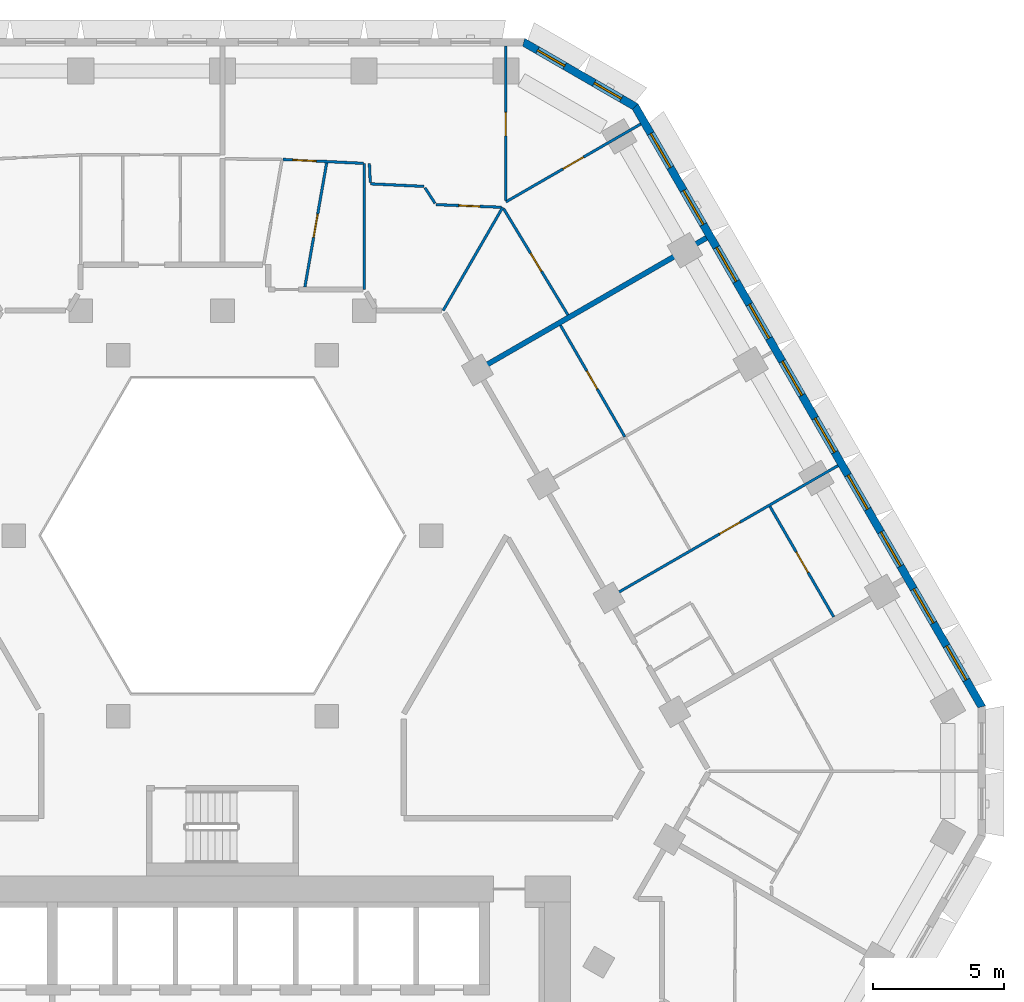
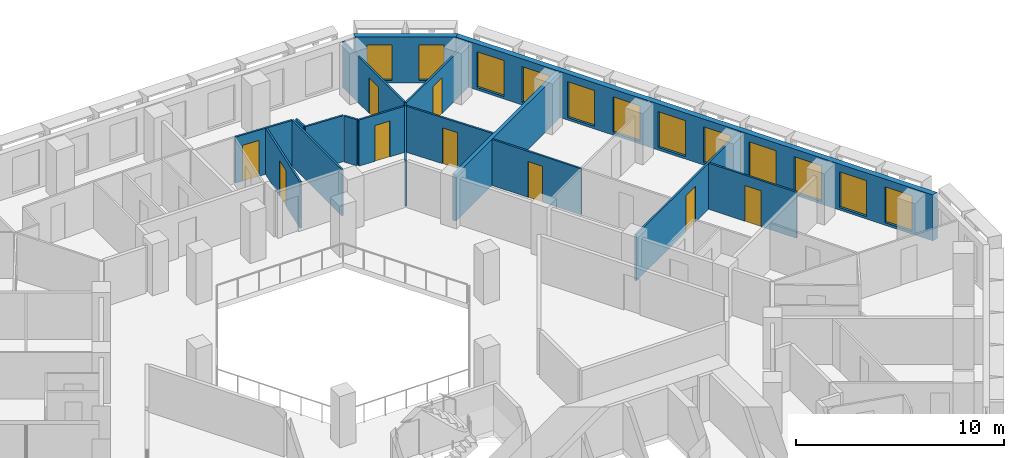
# One storey, part 10 of 18: 17 walls, 12 windows, 9 doors, 21 openings.
"""IFC4 building model written with IfcOpenShell, lengths in metres."""

from ifc_helpers import new_model, si_unit, direction, frame, frame_2d, origin, place, context, subcontext, project, spatial, polyline, rectangle, outline, extrude, material, layer, layer_set, type_object, element, fill, save


model = new_model("IFC4")

# Units and contexts
model_context = context("Model", 3, precision=1e-05, world=origin(), true_north=direction((0.0, 1.0)))
body_context = subcontext(model_context, "Body", "Model", "MODEL_VIEW")
ifc_project = project(units=[si_unit("LENGTHUNIT", "METRE"), si_unit("AREAUNIT", "SQUARE_METRE"), si_unit("VOLUMEUNIT", "CUBIC_METRE"), si_unit("PLANEANGLEUNIT", "RADIAN"), si_unit("MASSUNIT", "GRAM", prefix="KILO")], contexts=[model_context])

# Site, building, storey
site_placement = place(None, origin())
site = spatial("IfcSite", under=ifc_project, at=site_placement, CompositionType="ELEMENT")
building_placement = place(site_placement, origin())
building = spatial("IfcBuilding", under=site, at=building_placement, Name="Beryl Residences", CompositionType="ELEMENT")
storey_placement = place(building_placement, frame((0.0, 0.0, 87.0)))
storey = spatial("IfcBuildingStorey", under=building, at=storey_placement, Name="L26", CompositionType="ELEMENT", Elevation=87.0)

# Wall, openings, windows
ifc_material_1 = material(Name="Composite metal panel with mineral wool insulation")
ifc_layer_1 = layer(ifc_material_1, 0.300048828125)
ifc_layer_set_1 = layer_set([ifc_layer_1], Name="ES1 pale metal composite panel wall 300 mm")
wall_type_1 = type_object("IfcWallType", Name="ES1 pale metal composite panel wall 300 mm", PredefinedType="SOLIDWALL", material=ifc_layer_set_1)
wall_1_placement = place(storey_placement, frame((29.027099609375, 1.425048828125, 0.0), z_axis=(0.0, 0.0, 1.0), x_axis=(-0.500027479704, 0.866009537788, 0.0)))
wall_1 = element("IfcWall", 1, at=wall_1_placement, inside=storey, type_object=wall_type_1, Name="ES1 external wall L26 NE", PredefinedType="SOLIDWALL", context=body_context, shape_type="SweptSolid", body=[
    extrude(outline(polyline([(0.0, -0.14990234375), (26.55859375, -0.14990234375), (26.478271484375, 0.14990234375), (0.080322265625, 0.14990234375), (0.0, -0.14990234375)])), origin(), (0.0, 0.0, 1.0), 2.699951171875),
])
opening_1_placement = place(wall_1_placement, frame((1.22705078125, 0.0, 0.14990234375)))
opening_1 = element("IfcOpeningElement", 2, at=opening_1_placement, cuts=wall_1, Name="Opening W1", PredefinedType="OPENING", context=body_context, shape_type="SweptSolid", body=[
    extrude(rectangle(XDim=1.5, YDim=2.10009765625, at=frame_2d((0.75, 1.050048828125))), frame((0.0, 0.159912109375, 0.0), z_axis=(0.0, -1.0, 0.0), x_axis=(1.0, 0.0, 0.0)), (0.0, 0.0, 1.0), 0.320068359375),
])
opening_2_placement = place(wall_1_placement, frame((3.738037109375, 0.0, 0.14990234375)))
opening_2 = element("IfcOpeningElement", 3, at=opening_2_placement, cuts=wall_1, Name="Opening W1", PredefinedType="OPENING", context=body_context, shape_type="SweptSolid", body=[
    extrude(rectangle(XDim=1.5, YDim=2.10009765625, at=frame_2d((0.75, 1.050048828125))), frame((0.0, 0.159912109375, 0.0), z_axis=(0.0, -1.0, 0.0), x_axis=(1.0, 0.0, 0.0)), (0.0, 0.0, 1.0), 0.320068359375),
])
opening_3_placement = place(wall_1_placement, frame((6.25, 0.0, 0.14990234375)))
opening_3 = element("IfcOpeningElement", 4, at=opening_3_placement, cuts=wall_1, Name="Opening W1", PredefinedType="OPENING", context=body_context, shape_type="SweptSolid", body=[
    extrude(rectangle(XDim=1.5, YDim=2.10009765625, at=frame_2d((0.75, 1.050048828125))), frame((0.0, 0.159912109375, 0.0), z_axis=(0.0, -1.0, 0.0), x_axis=(1.0, 0.0, 0.0)), (0.0, 0.0, 1.0), 0.320068359375),
])
opening_4_placement = place(wall_1_placement, frame((8.760986328125, 0.0, 0.14990234375)))
opening_4 = element("IfcOpeningElement", 5, at=opening_4_placement, cuts=wall_1, Name="Opening W1", PredefinedType="OPENING", context=body_context, shape_type="SweptSolid", body=[
    extrude(rectangle(XDim=1.5, YDim=2.10009765625, at=frame_2d((0.75, 1.050048828125))), frame((0.0, 0.159912109375, 0.0), z_axis=(0.0, -1.0, 0.0), x_axis=(1.0, 0.0, 0.0)), (0.0, 0.0, 1.0), 0.320068359375),
])
opening_5_placement = place(wall_1_placement, frame((11.27294921875, 0.0, 0.14990234375)))
opening_5 = element("IfcOpeningElement", 6, at=opening_5_placement, cuts=wall_1, Name="Opening W1", PredefinedType="OPENING", context=body_context, shape_type="SweptSolid", body=[
    extrude(rectangle(XDim=1.5, YDim=2.10009765625, at=frame_2d((0.75, 1.050048828125))), frame((0.0, 0.159912109375, 0.0), z_axis=(0.0, -1.0, 0.0), x_axis=(1.0, 0.0, 0.0)), (0.0, 0.0, 1.0), 0.320068359375),
])
opening_6_placement = place(wall_1_placement, frame((13.784912109375, 0.0, 0.14990234375)))
opening_6 = element("IfcOpeningElement", 7, at=opening_6_placement, cuts=wall_1, Name="Opening W1", PredefinedType="OPENING", context=body_context, shape_type="SweptSolid", body=[
    extrude(rectangle(XDim=1.5, YDim=2.10009765625, at=frame_2d((0.75, 1.050048828125))), frame((0.0, 0.159912109375, 0.0), z_axis=(0.0, -1.0, 0.0), x_axis=(1.0, 0.0, 0.0)), (0.0, 0.0, 1.0), 0.320068359375),
])
opening_7_placement = place(wall_1_placement, frame((16.2958984375, 0.0, 0.14990234375)))
opening_7 = element("IfcOpeningElement", 8, at=opening_7_placement, cuts=wall_1, Name="Opening W1", PredefinedType="OPENING", context=body_context, shape_type="SweptSolid", body=[
    extrude(rectangle(XDim=1.5, YDim=2.10009765625, at=frame_2d((0.75, 1.050048828125))), frame((0.0, 0.159912109375, 0.0), z_axis=(0.0, -1.0, 0.0), x_axis=(1.0, 0.0, 0.0)), (0.0, 0.0, 1.0), 0.320068359375),
])
opening_8_placement = place(wall_1_placement, frame((18.806884765625, 0.0, 0.14990234375)))
opening_8 = element("IfcOpeningElement", 9, at=opening_8_placement, cuts=wall_1, Name="Opening W1", PredefinedType="OPENING", context=body_context, shape_type="SweptSolid", body=[
    extrude(rectangle(XDim=1.5, YDim=2.10009765625, at=frame_2d((0.75, 1.050048828125))), frame((0.0, 0.159912109375, 0.0), z_axis=(0.0, -1.0, 0.0), x_axis=(1.0, 0.0, 0.0)), (0.0, 0.0, 1.0), 0.320068359375),
])
opening_9_placement = place(wall_1_placement, frame((21.319091796875, 0.0, 0.14990234375)))
opening_9 = element("IfcOpeningElement", 10, at=opening_9_placement, cuts=wall_1, Name="Opening W1", PredefinedType="OPENING", context=body_context, shape_type="SweptSolid", body=[
    extrude(rectangle(XDim=1.5, YDim=2.10009765625, at=frame_2d((0.75, 1.050048828125))), frame((0.0, 0.159912109375, 0.0), z_axis=(0.0, -1.0, 0.0), x_axis=(1.0, 0.0, 0.0)), (0.0, 0.0, 1.0), 0.320068359375),
])
opening_10_placement = place(wall_1_placement, frame((23.8310546875, 0.0, 0.14990234375)))
opening_10 = element("IfcOpeningElement", 11, at=opening_10_placement, cuts=wall_1, Name="Opening W1", PredefinedType="OPENING", context=body_context, shape_type="SweptSolid", body=[
    extrude(rectangle(XDim=1.5, YDim=2.10009765625, at=frame_2d((0.75, 1.050048828125))), frame((0.0, 0.159912109375, 0.0), z_axis=(0.0, -1.0, 0.0), x_axis=(1.0, 0.0, 0.0)), (0.0, 0.0, 1.0), 0.320068359375),
])
ifc_material_2 = material(Name="Aluminium and clear glass", Category="aluminium")
window_type_1 = type_object("IfcWindowType", Name="W1 cell window 1500 x 2100 mm", PartitioningType="SINGLE_PANEL", PredefinedType="WINDOW", material=ifc_material_2)
window_1_placement = place(opening_1_placement, origin())
window_1 = element("IfcWindow", 12, at=window_1_placement, inside=storey, type_object=window_type_1, Name="W1 window L26 NE 1", OverallHeight=2.10009765625, OverallWidth=1.5, PartitioningType="SINGLE_PANEL", PredefinedType="WINDOW", context=body_context, shape_type="SweptSolid", body=[
    extrude(rectangle(XDim=1.5, YDim=2.10009765625, at=frame_2d((0.75, 1.050048828125))), frame((0.0, 0.030029296875, 0.0), z_axis=(0.0, -1.0, 0.0), x_axis=(1.0, 0.0, 0.0)), (0.0, 0.0, 1.0), 0.06005859375),
])
fill(opening_1, window_1)
window_2_placement = place(opening_2_placement, origin())
window_2 = element("IfcWindow", 13, at=window_2_placement, inside=storey, type_object=window_type_1, Name="W1 window L26 NE 2", OverallHeight=2.10009765625, OverallWidth=1.5, PartitioningType="SINGLE_PANEL", PredefinedType="WINDOW", context=body_context, shape_type="SweptSolid", body=[
    extrude(rectangle(XDim=1.5, YDim=2.10009765625, at=frame_2d((0.75, 1.050048828125))), frame((0.0, 0.030029296875, 0.0), z_axis=(0.0, -1.0, 0.0), x_axis=(1.0, 0.0, 0.0)), (0.0, 0.0, 1.0), 0.06005859375),
])
fill(opening_2, window_2)
window_3_placement = place(opening_3_placement, origin())
window_3 = element("IfcWindow", 14, at=window_3_placement, inside=storey, type_object=window_type_1, Name="W1 window L26 NE 3", OverallHeight=2.10009765625, OverallWidth=1.5, PartitioningType="SINGLE_PANEL", PredefinedType="WINDOW", context=body_context, shape_type="SweptSolid", body=[
    extrude(rectangle(XDim=1.5, YDim=2.10009765625, at=frame_2d((0.75, 1.050048828125))), frame((0.0, 0.030029296875, 0.0), z_axis=(0.0, -1.0, 0.0), x_axis=(1.0, 0.0, 0.0)), (0.0, 0.0, 1.0), 0.06005859375),
])
fill(opening_3, window_3)
window_4_placement = place(opening_4_placement, origin())
window_4 = element("IfcWindow", 15, at=window_4_placement, inside=storey, type_object=window_type_1, Name="W1 window L26 NE 4", OverallHeight=2.10009765625, OverallWidth=1.5, PartitioningType="SINGLE_PANEL", PredefinedType="WINDOW", context=body_context, shape_type="SweptSolid", body=[
    extrude(rectangle(XDim=1.5, YDim=2.10009765625, at=frame_2d((0.75, 1.050048828125))), frame((0.0, 0.030029296875, 0.0), z_axis=(0.0, -1.0, 0.0), x_axis=(1.0, 0.0, 0.0)), (0.0, 0.0, 1.0), 0.06005859375),
])
fill(opening_4, window_4)
window_5_placement = place(opening_5_placement, origin())
window_5 = element("IfcWindow", 16, at=window_5_placement, inside=storey, type_object=window_type_1, Name="W1 window L26 NE 5", OverallHeight=2.10009765625, OverallWidth=1.5, PartitioningType="SINGLE_PANEL", PredefinedType="WINDOW", context=body_context, shape_type="SweptSolid", body=[
    extrude(rectangle(XDim=1.5, YDim=2.10009765625, at=frame_2d((0.75, 1.050048828125))), frame((0.0, 0.030029296875, 0.0), z_axis=(0.0, -1.0, 0.0), x_axis=(1.0, 0.0, 0.0)), (0.0, 0.0, 1.0), 0.06005859375),
])
fill(opening_5, window_5)
window_6_placement = place(opening_6_placement, origin())
window_6 = element("IfcWindow", 17, at=window_6_placement, inside=storey, type_object=window_type_1, Name="W1 window L26 NE 6", OverallHeight=2.10009765625, OverallWidth=1.5, PartitioningType="SINGLE_PANEL", PredefinedType="WINDOW", context=body_context, shape_type="SweptSolid", body=[
    extrude(rectangle(XDim=1.5, YDim=2.10009765625, at=frame_2d((0.75, 1.050048828125))), frame((0.0, 0.030029296875, 0.0), z_axis=(0.0, -1.0, 0.0), x_axis=(1.0, 0.0, 0.0)), (0.0, 0.0, 1.0), 0.06005859375),
])
fill(opening_6, window_6)
window_7_placement = place(opening_7_placement, origin())
window_7 = element("IfcWindow", 18, at=window_7_placement, inside=storey, type_object=window_type_1, Name="W1 window L26 NE 7", OverallHeight=2.10009765625, OverallWidth=1.5, PartitioningType="SINGLE_PANEL", PredefinedType="WINDOW", context=body_context, shape_type="SweptSolid", body=[
    extrude(rectangle(XDim=1.5, YDim=2.10009765625, at=frame_2d((0.75, 1.050048828125))), frame((0.0, 0.030029296875, 0.0), z_axis=(0.0, -1.0, 0.0), x_axis=(1.0, 0.0, 0.0)), (0.0, 0.0, 1.0), 0.06005859375),
])
fill(opening_7, window_7)
window_8_placement = place(opening_8_placement, origin())
window_8 = element("IfcWindow", 19, at=window_8_placement, inside=storey, type_object=window_type_1, Name="W1 window L26 NE 8", OverallHeight=2.10009765625, OverallWidth=1.5, PartitioningType="SINGLE_PANEL", PredefinedType="WINDOW", context=body_context, shape_type="SweptSolid", body=[
    extrude(rectangle(XDim=1.5, YDim=2.10009765625, at=frame_2d((0.75, 1.050048828125))), frame((0.0, 0.030029296875, 0.0), z_axis=(0.0, -1.0, 0.0), x_axis=(1.0, 0.0, 0.0)), (0.0, 0.0, 1.0), 0.06005859375),
])
fill(opening_8, window_8)
window_9_placement = place(opening_9_placement, origin())
window_9 = element("IfcWindow", 20, at=window_9_placement, inside=storey, type_object=window_type_1, Name="W1 window L26 NE 9", OverallHeight=2.10009765625, OverallWidth=1.5, PartitioningType="SINGLE_PANEL", PredefinedType="WINDOW", context=body_context, shape_type="SweptSolid", body=[
    extrude(rectangle(XDim=1.5, YDim=2.10009765625, at=frame_2d((0.75, 1.050048828125))), frame((0.0, 0.030029296875, 0.0), z_axis=(0.0, -1.0, 0.0), x_axis=(1.0, 0.0, 0.0)), (0.0, 0.0, 1.0), 0.06005859375),
])
fill(opening_9, window_9)
window_10_placement = place(opening_10_placement, origin())
window_10 = element("IfcWindow", 21, at=window_10_placement, inside=storey, type_object=window_type_1, Name="W1 window L26 NE 10", OverallHeight=2.10009765625, OverallWidth=1.5, PartitioningType="SINGLE_PANEL", PredefinedType="WINDOW", context=body_context, shape_type="SweptSolid", body=[
    extrude(rectangle(XDim=1.5, YDim=2.10009765625, at=frame_2d((0.75, 1.050048828125))), frame((0.0, 0.030029296875, 0.0), z_axis=(0.0, -1.0, 0.0), x_axis=(1.0, 0.0, 0.0)), (0.0, 0.0, 1.0), 0.06005859375),
])
fill(opening_10, window_10)

wall_2_placement = place(storey_placement, frame((15.802001953125, 24.3701171875, 0.0), z_axis=(0.0, 0.0, 1.0), x_axis=(-0.866022959057, 0.500004234368, 0.0)))
wall_2 = element("IfcWall", 22, at=wall_2_placement, inside=storey, type_object=wall_type_1, Name="ES1 external wall L26 NE-N", PredefinedType="SOLIDWALL", context=body_context, shape_type="SweptSolid", body=[
    extrude(outline(polyline([(0.0, -0.14990234375), (5.0, -0.14990234375), (4.919677734375, 0.14990234375), (0.080322265625, 0.14990234375), (0.0, -0.14990234375)])), origin(), (0.0, 0.0, 1.0), 2.699951171875),
])
opening_11_placement = place(wall_2_placement, frame((0.64990234375, 0.0, 0.14990234375)))
opening_11 = element("IfcOpeningElement", 23, at=opening_11_placement, cuts=wall_2, Name="Opening W2", PredefinedType="OPENING", context=body_context, shape_type="SweptSolid", body=[
    extrude(rectangle(XDim=1.199951171875, YDim=2.10009765625, at=frame_2d((0.60009765625, 1.050048828125))), frame((0.0, 0.159912109375, 0.0), z_axis=(0.0, -1.0, 0.0), x_axis=(1.0, 0.0, 0.0)), (0.0, 0.0, 1.0), 0.320068359375),
])
opening_12_placement = place(wall_2_placement, frame((3.14990234375, 0.0, 0.14990234375)))
opening_12 = element("IfcOpeningElement", 24, at=opening_12_placement, cuts=wall_2, Name="Opening W2", PredefinedType="OPENING", context=body_context, shape_type="SweptSolid", body=[
    extrude(rectangle(XDim=1.199951171875, YDim=2.10009765625, at=frame_2d((0.60009765625, 1.050048828125))), frame((0.0, 0.159912109375, 0.0), z_axis=(0.0, -1.0, 0.0), x_axis=(1.0, 0.0, 0.0)), (0.0, 0.0, 1.0), 0.320068359375),
])
ifc_material_3 = material(Name="Aluminium and clear glass", Category="aluminium")
window_type_2 = type_object("IfcWindowType", Name="W2 chamfer window 1200 x 2100 mm", PartitioningType="SINGLE_PANEL", PredefinedType="WINDOW", material=ifc_material_3)
window_11_placement = place(opening_11_placement, origin())
window_11 = element("IfcWindow", 25, at=window_11_placement, inside=storey, type_object=window_type_2, Name="W2 window L26 NE-N 1", OverallHeight=2.10009765625, OverallWidth=1.199951171875, PartitioningType="SINGLE_PANEL", PredefinedType="WINDOW", context=body_context, shape_type="SweptSolid", body=[
    extrude(rectangle(XDim=1.199951171875, YDim=2.10009765625, at=frame_2d((0.60009765625, 1.050048828125))), frame((0.0, 0.030029296875, 0.0), z_axis=(0.0, -1.0, 0.0), x_axis=(1.0, 0.0, 0.0)), (0.0, 0.0, 1.0), 0.06005859375),
])
fill(opening_11, window_11)
window_12_placement = place(opening_12_placement, origin())
window_12 = element("IfcWindow", 26, at=window_12_placement, inside=storey, type_object=window_type_2, Name="W2 window L26 NE-N 2", OverallHeight=2.10009765625, OverallWidth=1.199951171875, PartitioningType="SINGLE_PANEL", PredefinedType="WINDOW", context=body_context, shape_type="SweptSolid", body=[
    extrude(rectangle(XDim=1.199951171875, YDim=2.10009765625, at=frame_2d((0.60009765625, 1.050048828125))), frame((0.0, 0.030029296875, 0.0), z_axis=(0.0, -1.0, 0.0), x_axis=(1.0, 0.0, 0.0)), (0.0, 0.0, 1.0), 0.06005859375),
])
fill(opening_12, window_12)

# Wall
ifc_material_4 = material(Name="Gypsum board partition on steel studs", Category="steel")
ifc_layer_2 = layer(ifc_material_4, 0.10009765625)
ifc_layer_set_2 = layer_set([ifc_layer_2], Name="PT1 partition 100 mm gypsum board on steel studs")
wall_type_2 = type_object("IfcWallType", Name="PT1 partition 100 mm gypsum board on steel studs", PredefinedType="PARTITIONING", material=ifc_layer_set_2)
wall_3_placement = place(storey_placement, frame((7.737060546875, 21.291015625, 0.0), z_axis=(0.0, 0.0, 1.0), x_axis=(0.540389876456, -0.841414749944, 0.0)))
element("IfcWall", 27, at=wall_3_placement, inside=storey, type_object=wall_type_2, Name="Wall PT1 L26 002", PredefinedType="PARTITIONING", context=body_context, shape_type="SweptSolid", body=[
    extrude(rectangle(XDim=0.704833984375, YDim=0.10009765625, at=frame_2d((0.3525390625, 0.0))), origin(), (0.0, 0.0, 1.0), 2.699951171875),
])

# Wall, opening, door
wall_4_placement = place(storey_placement, frame((10.738037109375, 20.491943359375, 0.0), z_axis=(0.0, 0.0, 1.0), x_axis=(0.518100976056, -0.855319459974, 0.0)))
wall_4 = element("IfcWall", 28, at=wall_4_placement, inside=storey, type_object=wall_type_2, Name="Wall PT1 L26 003", PredefinedType="PARTITIONING", context=body_context, shape_type="SweptSolid", body=[
    extrude(rectangle(XDim=4.744384765625, YDim=0.10009765625, at=frame_2d((2.3720703125, 0.0))), origin(), (0.0, 0.0, 1.0), 2.699951171875),
])
opening_13_placement = place(wall_4_placement, frame((1.991943359375, 0.0, 0.0)))
opening_13 = element("IfcOpeningElement", 29, at=opening_13_placement, cuts=wall_4, Name="Opening D0665", PredefinedType="OPENING", context=body_context, shape_type="SweptSolid", body=[
    extrude(rectangle(XDim=0.800048828125, YDim=2.10009765625, at=frame_2d((0.39990234375, 1.050048828125))), frame((0.0, 0.06005859375, 0.0), z_axis=(0.0, -1.0, 0.0), x_axis=(1.0, 0.0, 0.0)), (0.0, 0.0, 1.0), 0.1201171875),
])
ifc_material_5 = material(Name="Timber door leaf", Category="wood")
door_type_1 = type_object("IfcDoorType", Name="D3 bathroom door 800 x 2100 mm", OperationType="SINGLE_SWING_LEFT", PredefinedType="DOOR", material=ifc_material_5)
door_1_placement = place(opening_13_placement, origin())
door_1 = element("IfcDoor", 30, at=door_1_placement, inside=storey, type_object=door_type_1, Name="Door D0665 L26 001", OperationType="SINGLE_SWING_LEFT", OverallHeight=2.10009765625, OverallWidth=0.800048828125, PredefinedType="DOOR", context=body_context, shape_type="SweptSolid", body=[
    extrude(rectangle(XDim=0.800048828125, YDim=2.10009765625, at=frame_2d((0.39990234375, 1.050048828125))), frame((0.0, 0.02490234375, 0.0), z_axis=(0.0, -1.0, 0.0), x_axis=(1.0, 0.0, 0.0)), (0.0, 0.0, 1.0), 0.050048828125),
])
fill(opening_13, door_1)

wall_5_placement = place(storey_placement, frame((12.910888671875, 16.0380859375, 0.0), z_axis=(0.0, 0.0, 1.0), x_axis=(0.499974319101, -0.866040230151, 0.0)))
wall_5 = element("IfcWall", 31, at=wall_5_placement, inside=storey, type_object=wall_type_2, Name="Wall PT1 L26 006", PredefinedType="PARTITIONING", context=body_context, shape_type="SweptSolid", body=[
    extrude(rectangle(XDim=4.922607421875, YDim=0.10009765625, at=frame_2d((2.46142578125, 0.0))), origin(), (0.0, 0.0, 1.0), 2.699951171875),
])
opening_14_placement = place(wall_5_placement, frame((2.011962890625, 0.0, 0.0)))
opening_14 = element("IfcOpeningElement", 32, at=opening_14_placement, cuts=wall_5, Name="Opening D0657", PredefinedType="OPENING", context=body_context, shape_type="SweptSolid", body=[
    extrude(rectangle(XDim=0.800048828125, YDim=2.10009765625, at=frame_2d((0.39990234375, 1.050048828125))), frame((0.0, 0.06005859375, 0.0), z_axis=(0.0, -1.0, 0.0), x_axis=(1.0, 0.0, 0.0)), (0.0, 0.0, 1.0), 0.1201171875),
])
door_2_placement = place(opening_14_placement, origin())
door_2 = element("IfcDoor", 33, at=door_2_placement, inside=storey, type_object=door_type_1, Name="Door D0657 L26 001", OperationType="SINGLE_SWING_LEFT", OverallHeight=2.10009765625, OverallWidth=0.800048828125, PredefinedType="DOOR", context=body_context, shape_type="SweptSolid", body=[
    extrude(rectangle(XDim=0.800048828125, YDim=2.10009765625, at=frame_2d((0.39990234375, 1.050048828125))), frame((0.0, 0.02490234375, 0.0), z_axis=(0.0, -1.0, 0.0), x_axis=(1.0, 0.0, 0.0)), (0.0, 0.0, 1.0), 0.050048828125),
])
fill(opening_14, door_2)

wall_6_placement = place(storey_placement, frame((20.9140625, 9.116943359375, 0.0), z_axis=(0.0, 0.0, 1.0), x_axis=(0.500007182864, -0.866021256716, 0.0)))
wall_6 = element("IfcWall", 34, at=wall_6_placement, inside=storey, type_object=wall_type_2, Name="Wall PT1 L26 007", PredefinedType="PARTITIONING", context=body_context, shape_type="SweptSolid", body=[
    extrude(rectangle(XDim=4.8740234375, YDim=0.10009765625, at=frame_2d((2.43701171875, 0.0))), origin(), (0.0, 0.0, 1.0), 2.699951171875),
])
opening_15_placement = place(wall_6_placement, frame((2.011962890625, 0.0, 0.0)))
opening_15 = element("IfcOpeningElement", 35, at=opening_15_placement, cuts=wall_6, Name="Opening D0653", PredefinedType="OPENING", context=body_context, shape_type="SweptSolid", body=[
    extrude(rectangle(XDim=0.89990234375, YDim=2.10009765625, at=frame_2d((0.449951171875, 1.050048828125))), frame((0.0, 0.06005859375, 0.0), z_axis=(0.0, -1.0, 0.0), x_axis=(1.0, 0.0, 0.0)), (0.0, 0.0, 1.0), 0.1201171875),
])
ifc_material_6 = material(Name="Timber door leaf", Category="wood")
door_type_2 = type_object("IfcDoorType", Name="D2 room door 900 x 2100 mm", OperationType="SINGLE_SWING_LEFT", PredefinedType="DOOR", material=ifc_material_6)
door_3_placement = place(opening_15_placement, origin())
door_3 = element("IfcDoor", 36, at=door_3_placement, inside=storey, type_object=door_type_2, Name="Door D0653 L26 001", OperationType="SINGLE_SWING_LEFT", OverallHeight=2.10009765625, OverallWidth=0.89990234375, PredefinedType="DOOR", context=body_context, shape_type="SweptSolid", body=[
    extrude(rectangle(XDim=0.89990234375, YDim=2.10009765625, at=frame_2d((0.449951171875, 1.050048828125))), frame((0.0, 0.02490234375, 0.0), z_axis=(0.0, -1.0, 0.0), x_axis=(1.0, 0.0, 0.0)), (0.0, 0.0, 1.0), 0.050048828125),
])
fill(opening_15, door_3)

# Wall
wall_7_placement = place(storey_placement, frame((5.611083984375, 22.2119140625, 0.0), z_axis=(0.0, 0.0, 1.0), x_axis=(0.048368650834, -0.998829551834, 0.0)))
element("IfcWall", 37, at=wall_7_placement, inside=storey, type_object=wall_type_2, Name="Wall PT1 L26 011", PredefinedType="PARTITIONING", context=body_context, shape_type="SweptSolid", body=[
    extrude(rectangle(XDim=0.7216796875, YDim=0.10009765625, at=frame_2d((0.36083984375, 0.0))), origin(), (0.0, 0.0, 1.0), 2.699951171875),
])

# Wall, opening, door
wall_8_placement = place(storey_placement, frame((8.15087890625, 20.64697265625, 0.0), z_axis=(0.0, 0.0, 1.0), x_axis=(0.999167241152, -0.040802257405, 0.0)))
wall_8 = element("IfcWall", 38, at=wall_8_placement, inside=storey, type_object=wall_type_2, Name="Wall PT1 L26 020", PredefinedType="PARTITIONING", context=body_context, shape_type="SweptSolid", body=[
    extrude(rectangle(XDim=2.501220703125, YDim=0.10009765625, at=frame_2d((1.25048828125, 0.0))), origin(), (0.0, 0.0, 1.0), 2.699951171875),
])
opening_16_placement = place(wall_8_placement, frame((0.87890625, 0.0, 0.0)))
opening_16 = element("IfcOpeningElement", 39, at=opening_16_placement, cuts=wall_8, Name="Opening D0663", PredefinedType="OPENING", context=body_context, shape_type="SweptSolid", body=[
    extrude(rectangle(XDim=0.800048828125, YDim=2.10009765625, at=frame_2d((0.39990234375, 1.050048828125))), frame((0.0, 0.06005859375, 0.0), z_axis=(0.0, -1.0, 0.0), x_axis=(1.0, 0.0, 0.0)), (0.0, 0.0, 1.0), 0.1201171875),
])
door_4_placement = place(opening_16_placement, origin())
door_4 = element("IfcDoor", 40, at=door_4_placement, inside=storey, type_object=door_type_1, Name="Door D0663 L26 001", OperationType="SINGLE_SWING_LEFT", OverallHeight=2.10009765625, OverallWidth=0.800048828125, PredefinedType="DOOR", context=body_context, shape_type="SweptSolid", body=[
    extrude(rectangle(XDim=0.800048828125, YDim=2.10009765625, at=frame_2d((0.39990234375, 1.050048828125))), frame((0.0, 0.02490234375, 0.0), z_axis=(0.0, -1.0, 0.0), x_axis=(1.0, 0.0, 0.0)), (0.0, 0.0, 1.0), 0.050048828125),
])
fill(opening_16, door_4)

# Wall
wall_9_placement = place(storey_placement, frame((5.64892578125, 21.44091796875, 0.0), z_axis=(0.0, 0.0, 1.0), x_axis=(0.998867332207, -0.047582062273, 0.0)))
element("IfcWall", 41, at=wall_9_placement, inside=storey, type_object=wall_type_2, Name="Wall PT1 L26 021", PredefinedType="PARTITIONING", context=body_context, shape_type="SweptSolid", body=[
    extrude(rectangle(XDim=2.0576171875, YDim=0.10009765625, at=frame_2d((1.02880859375, 0.0))), origin(), (0.0, 0.0, 1.0), 2.699951171875),
])

# Wall, opening, door
wall_10_placement = place(storey_placement, frame((2.306884765625, 22.3740234375, 0.0), z_axis=(0.0, 0.0, 1.0), x_axis=(0.998794685853, -0.049083352695, 0.0)))
wall_10 = element("IfcWall", 42, at=wall_10_placement, inside=storey, type_object=wall_type_2, Name="Wall PT1 L26 022", PredefinedType="PARTITIONING", context=body_context, shape_type="SweptSolid", body=[
    extrude(rectangle(XDim=3.078857421875, YDim=0.10009765625, at=frame_2d((1.53955078125, 0.0))), origin(), (0.0, 0.0, 1.0), 2.699951171875),
])
opening_17_placement = place(wall_10_placement, frame((0.3759765625, 0.0, 0.0)))
opening_17 = element("IfcOpeningElement", 43, at=opening_17_placement, cuts=wall_10, Name="Opening D0661", PredefinedType="OPENING", context=body_context, shape_type="SweptSolid", body=[
    extrude(rectangle(XDim=0.89990234375, YDim=2.10009765625, at=frame_2d((0.449951171875, 1.050048828125))), frame((0.0, 0.06005859375, 0.0), z_axis=(0.0, -1.0, 0.0), x_axis=(1.0, 0.0, 0.0)), (0.0, 0.0, 1.0), 0.1201171875),
])
door_5_placement = place(opening_17_placement, origin())
door_5 = element("IfcDoor", 44, at=door_5_placement, inside=storey, type_object=door_type_2, Name="Door D0661 L26 001", OperationType="SINGLE_SWING_LEFT", OverallHeight=2.10009765625, OverallWidth=0.89990234375, PredefinedType="DOOR", context=body_context, shape_type="SweptSolid", body=[
    extrude(rectangle(XDim=0.89990234375, YDim=2.10009765625, at=frame_2d((0.449951171875, 1.050048828125))), frame((0.0, 0.02490234375, 0.0), z_axis=(0.0, -1.0, 0.0), x_axis=(1.0, 0.0, 0.0)), (0.0, 0.0, 1.0), 0.050048828125),
])
fill(opening_17, door_5)

# Wall
wall_11_placement = place(storey_placement, frame((8.429931640625, 16.60009765625, 0.0), z_axis=(0.0, 0.0, 1.0), x_axis=(0.499951460778, 0.866053426104, 0.0)))
element("IfcWall", 45, at=wall_11_placement, inside=storey, type_object=wall_type_2, Name="Wall PT1 L26 041", PredefinedType="PARTITIONING", context=body_context, shape_type="SweptSolid", body=[
    extrude(rectangle(XDim=4.552734375, YDim=0.10009765625, at=frame_2d((2.2763671875, 0.0))), origin(), (0.0, 0.0, 1.0), 2.699951171875),
])

# Wall, opening, door
wall_12_placement = place(storey_placement, frame((3.14794921875, 17.5, 0.0), z_axis=(0.0, 0.0, 1.0), x_axis=(0.172821918451, 0.984953087463, 0.0)))
wall_12 = element("IfcWall", 46, at=wall_12_placement, inside=storey, type_object=wall_type_2, Name="Wall PT1 L26 049", PredefinedType="PARTITIONING", context=body_context, shape_type="SweptSolid", body=[
    extrude(rectangle(XDim=4.814453125, YDim=0.10009765625, at=frame_2d((2.4072265625, 0.0))), origin(), (0.0, 0.0, 1.0), 2.699951171875),
])
opening_18_placement = place(wall_12_placement, frame((1.931884765625, 0.0, 0.0)))
opening_18 = element("IfcOpeningElement", 47, at=opening_18_placement, cuts=wall_12, Name="Opening D0659", PredefinedType="OPENING", context=body_context, shape_type="SweptSolid", body=[
    extrude(rectangle(XDim=0.89990234375, YDim=2.10009765625, at=frame_2d((0.449951171875, 1.050048828125))), frame((0.0, 0.06005859375, 0.0), z_axis=(0.0, -1.0, 0.0), x_axis=(1.0, 0.0, 0.0)), (0.0, 0.0, 1.0), 0.1201171875),
])
door_6_placement = place(opening_18_placement, origin())
door_6 = element("IfcDoor", 48, at=door_6_placement, inside=storey, type_object=door_type_2, Name="Door D0659 L26 001", OperationType="SINGLE_SWING_LEFT", OverallHeight=2.10009765625, OverallWidth=0.89990234375, PredefinedType="DOOR", context=body_context, shape_type="SweptSolid", body=[
    extrude(rectangle(XDim=0.89990234375, YDim=2.10009765625, at=frame_2d((0.449951171875, 1.050048828125))), frame((0.0, 0.02490234375, 0.0), z_axis=(0.0, -1.0, 0.0), x_axis=(1.0, 0.0, 0.0)), (0.0, 0.0, 1.0), 0.050048828125),
])
fill(opening_18, door_6)

# Wall
wall_13_placement = place(storey_placement, frame((5.412109375, 17.39990234375, 0.0), z_axis=(0.0, 0.0, 1.0), x_axis=(0.0, 1.0, 0.0)))
element("IfcWall", 49, at=wall_13_placement, inside=storey, type_object=wall_type_2, Name="Wall PT1 L26 055", PredefinedType="PARTITIONING", context=body_context, shape_type="SweptSolid", body=[
    extrude(rectangle(XDim=4.822021484375, YDim=0.10009765625, at=frame_2d((2.4111328125, 0.0))), origin(), (0.0, 0.0, 1.0), 2.699951171875),
])

# Wall, opening, door
wall_14_placement = place(storey_placement, frame((10.824951171875, 20.805908203125, 0.0), z_axis=(0.0, 0.0, 1.0), x_axis=(0.0, 1.0, 0.0)))
wall_14 = element("IfcWall", 50, at=wall_14_placement, inside=storey, type_object=wall_type_2, Name="Wall PT1 L26 058", PredefinedType="PARTITIONING", context=body_context, shape_type="SweptSolid", body=[
    extrude(rectangle(XDim=5.89404296875, YDim=0.10009765625, at=frame_2d((2.947021484375, 0.0))), origin(), (0.0, 0.0, 1.0), 2.699951171875),
])
opening_19_placement = place(wall_14_placement, frame((2.468017578125, 0.0, 0.0)))
opening_19 = element("IfcOpeningElement", 51, at=opening_19_placement, cuts=wall_14, Name="Opening D0662", PredefinedType="OPENING", context=body_context, shape_type="SweptSolid", body=[
    extrude(rectangle(XDim=0.89990234375, YDim=2.10009765625, at=frame_2d((0.449951171875, 1.050048828125))), frame((0.0, 0.06005859375, 0.0), z_axis=(0.0, -1.0, 0.0), x_axis=(1.0, 0.0, 0.0)), (0.0, 0.0, 1.0), 0.1201171875),
])
door_7_placement = place(opening_19_placement, origin())
door_7 = element("IfcDoor", 52, at=door_7_placement, inside=storey, type_object=door_type_2, Name="Door D0662 L26 001", OperationType="SINGLE_SWING_RIGHT", OverallHeight=2.10009765625, OverallWidth=0.89990234375, PredefinedType="DOOR", context=body_context, shape_type="SweptSolid", body=[
    extrude(rectangle(XDim=0.89990234375, YDim=2.10009765625, at=frame_2d((0.449951171875, 1.050048828125))), frame((0.0, 0.02490234375, 0.0), z_axis=(0.0, -1.0, 0.0), x_axis=(1.0, 0.0, 0.0)), (0.0, 0.0, 1.0), 0.050048828125),
])
fill(opening_19, door_7)

wall_15_placement = place(storey_placement, frame((14.85302734375, 5.675048828125, 0.0), z_axis=(0.0, 0.0, 1.0), x_axis=(0.866016855193, 0.500014806302, 0.0)))
wall_15 = element("IfcWall", 53, at=wall_15_placement, inside=storey, type_object=wall_type_2, Name="Wall PT1 L26 070", PredefinedType="PARTITIONING", context=body_context, shape_type="SweptSolid", body=[
    extrude(rectangle(XDim=9.999755859375, YDim=0.10009765625, at=frame_2d((5.0, 0.0))), origin(), (0.0, 0.0, 1.0), 2.699951171875),
])
opening_20_placement = place(wall_15_placement, frame((4.77490234375, 0.0, 0.0)))
opening_20 = element("IfcOpeningElement", 54, at=opening_20_placement, cuts=wall_15, Name="Opening D0654", PredefinedType="OPENING", context=body_context, shape_type="SweptSolid", body=[
    extrude(rectangle(XDim=0.89990234375, YDim=2.10009765625, at=frame_2d((0.449951171875, 1.050048828125))), frame((0.0, 0.06005859375, 0.0), z_axis=(0.0, -1.0, 0.0), x_axis=(1.0, 0.0, 0.0)), (0.0, 0.0, 1.0), 0.1201171875),
])
door_8_placement = place(opening_20_placement, origin())
door_8 = element("IfcDoor", 55, at=door_8_placement, inside=storey, type_object=door_type_2, Name="Door D0654 L26 001", OperationType="SINGLE_SWING_RIGHT", OverallHeight=2.10009765625, OverallWidth=0.89990234375, PredefinedType="DOOR", context=body_context, shape_type="SweptSolid", body=[
    extrude(rectangle(XDim=0.89990234375, YDim=2.10009765625, at=frame_2d((0.449951171875, 1.050048828125))), frame((0.0, 0.02490234375, 0.0), z_axis=(0.0, -1.0, 0.0), x_axis=(1.0, 0.0, 0.0)), (0.0, 0.0, 1.0), 0.050048828125),
])
fill(opening_20, door_8)

wall_16_placement = place(storey_placement, frame((10.825927734375, 20.75, 0.0), z_axis=(0.0, 0.0, 1.0), x_axis=(0.865986712877, 0.50006700863, 0.0)))
wall_16 = element("IfcWall", 56, at=wall_16_placement, inside=storey, type_object=wall_type_2, Name="Wall PT1 L26 074", PredefinedType="PARTITIONING", context=body_context, shape_type="SweptSolid", body=[
    extrude(rectangle(XDim=5.949462890625, YDim=0.10009765625, at=frame_2d((2.974609375, 0.0))), origin(), (0.0, 0.0, 1.0), 2.699951171875),
])
opening_21_placement = place(wall_16_placement, frame((2.52392578125, 0.0, 0.0)))
opening_21 = element("IfcOpeningElement", 57, at=opening_21_placement, cuts=wall_16, Name="Opening D0664", PredefinedType="OPENING", context=body_context, shape_type="SweptSolid", body=[
    extrude(rectangle(XDim=0.89990234375, YDim=2.10009765625, at=frame_2d((0.449951171875, 1.050048828125))), frame((0.0, 0.06005859375, 0.0), z_axis=(0.0, -1.0, 0.0), x_axis=(1.0, 0.0, 0.0)), (0.0, 0.0, 1.0), 0.1201171875),
])
door_9_placement = place(opening_21_placement, origin())
door_9 = element("IfcDoor", 58, at=door_9_placement, inside=storey, type_object=door_type_2, Name="Door D0664 L26 001", OperationType="SINGLE_SWING_RIGHT", OverallHeight=2.10009765625, OverallWidth=0.89990234375, PredefinedType="DOOR", context=body_context, shape_type="SweptSolid", body=[
    extrude(rectangle(XDim=0.89990234375, YDim=2.10009765625, at=frame_2d((0.449951171875, 1.050048828125))), frame((0.0, 0.02490234375, 0.0), z_axis=(0.0, -1.0, 0.0), x_axis=(1.0, 0.0, 0.0)), (0.0, 0.0, 1.0), 0.050048828125),
])
fill(opening_21, door_9)

# Wall
ifc_material_7 = material(Name="Acoustic double stud gypsum board wall")
ifc_layer_3 = layer(ifc_material_7, 0.199951171875)
ifc_layer_set_3 = layer_set([ifc_layer_3], Name="PT3 party wall 200 mm acoustic double stud")
wall_type_3 = type_object("IfcWallType", Name="PT3 party wall 200 mm acoustic double stud", PredefinedType="PARTITIONING", material=ifc_layer_set_3)
wall_17_placement = place(storey_placement, frame((9.830078125, 14.375, 0.0), z_axis=(0.0, 0.0, 1.0), x_axis=(0.866016855193, 0.500014806302, 0.0)))
element("IfcWall", 59, at=wall_17_placement, inside=storey, type_object=wall_type_3, Name="Wall PT3 L26 012", PredefinedType="PARTITIONING", context=body_context, shape_type="SweptSolid", body=[
    extrude(rectangle(XDim=9.999755859375, YDim=0.199951171875, at=frame_2d((5.0, 0.0))), origin(), (0.0, 0.0, 1.0), 2.699951171875),
])

save(model, "model.ifc")
